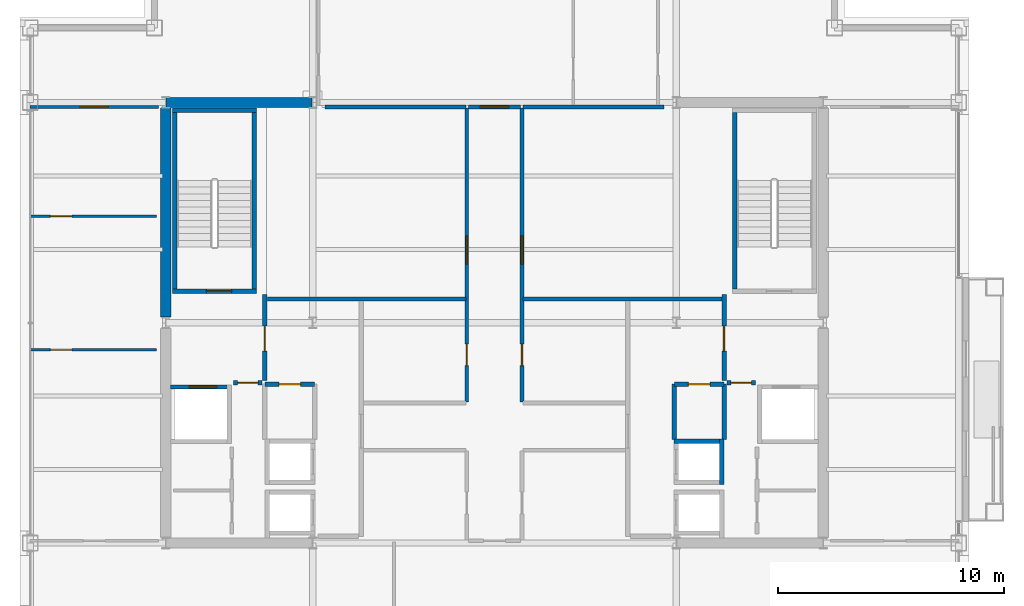
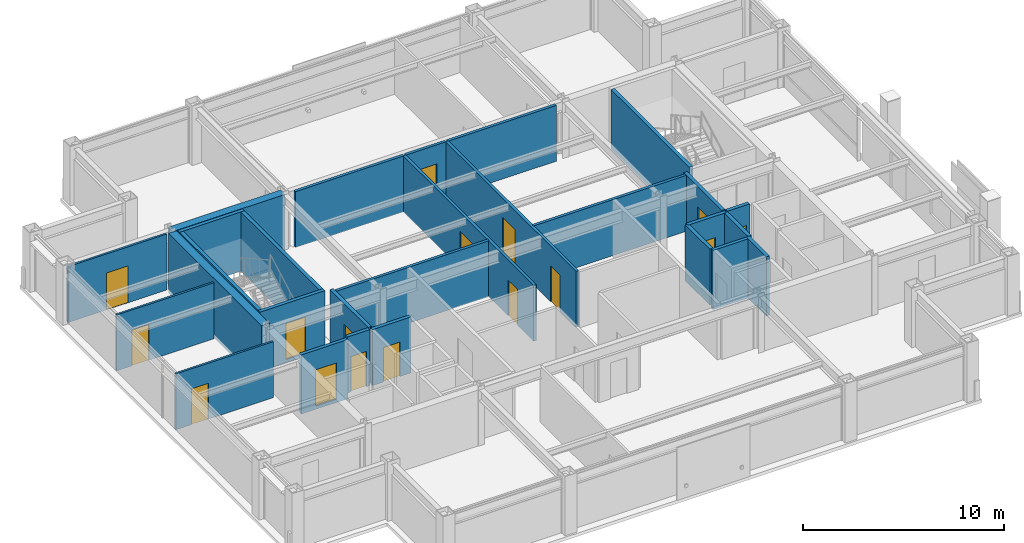
# One storey, part 26 of 30: 28 walls, 16 doors, 16 openings.
"""IFC4 building model written with IfcOpenShell, lengths in metres."""

from ifc_helpers import new_model, si_unit, direction, frame, frame_2d, origin, place, context, subcontext, project, spatial, rectangle, extrude, material, layer, layer_set, type_object, element, fill, save


model = new_model("IFC4")

# Units and contexts
model_context = context("Model", 3, precision=1e-05, world=origin(), true_north=direction((0.0, 1.0)))
body_context = subcontext(model_context, "Body", "Model", "MODEL_VIEW")
ifc_project = project(units=[si_unit("LENGTHUNIT", "METRE"), si_unit("AREAUNIT", "SQUARE_METRE"), si_unit("VOLUMEUNIT", "CUBIC_METRE"), si_unit("PLANEANGLEUNIT", "RADIAN"), si_unit("MASSUNIT", "GRAM", prefix="KILO")], contexts=[model_context])

# Site, building, storey
site_placement = place(None, origin())
site = spatial("IfcSite", under=ifc_project, at=site_placement, CompositionType="ELEMENT")
building_placement = place(site_placement, origin())
building = spatial("IfcBuilding", under=site, at=building_placement, Name="Brelmoor Portico Tower", CompositionType="ELEMENT")
storey_placement = place(building_placement, frame((0.0, 0.0, 187.5)))
storey = spatial("IfcBuildingStorey", under=building, at=storey_placement, Name="L49", CompositionType="ELEMENT", Elevation=187.5)

# Walls
ifc_material_1 = material(Name="Concrete C50", Category="concrete")
ifc_layer_1 = layer(ifc_material_1, 0.449951171875)
ifc_layer_set_1 = layer_set([ifc_layer_1], Name="Concrete C50")
wall_type_1 = type_object("IfcWallType", Name="WL-CORE-450", PredefinedType="SHEAR", material=ifc_layer_set_1)
wall_1_placement = place(storey_placement, frame((-14.530029296875, 9.75, -0.199951171875), z_axis=(0.0, 0.0, 1.0), x_axis=(1.0, 0.0, 0.0)))
element("IfcWall", 1, at=wall_1_placement, inside=storey, type_object=wall_type_1, Name="L49 WC North Shear Wall", PredefinedType="SHEAR", context=body_context, shape_type="SweptSolid", body=[
    extrude(rectangle(XDim=6.4599609375, YDim=0.449951171875, at=frame_2d((3.22998046875, 0.0))), origin(), (0.0, 0.0, 1.0), 3.599853515625),
])
wall_2_placement = place(storey_placement, frame((-14.550048828125, 0.25, -0.199951171875), z_axis=(0.0, 0.0, 1.0), x_axis=(0.0, 1.0, 0.0)))
element("IfcWall", 2, at=wall_2_placement, inside=storey, type_object=wall_type_1, Name="L49 WC Outer North Shear Wall", PredefinedType="SHEAR", context=body_context, shape_type="SweptSolid", body=[
    extrude(rectangle(XDim=9.25, YDim=0.449951171875, at=frame_2d((4.625, 0.0))), origin(), (0.0, 0.0, 1.0), 3.599853515625),
])

# Wall, opening, door
ifc_material_2 = material(Name="Lightweight Gypsum Office Partition", Category="gypsum")
ifc_layer_2 = layer(ifc_material_2, 0.1201171875)
ifc_layer_set_2 = layer_set([ifc_layer_2], Name="Lightweight Gypsum Office Partition")
wall_type_2 = type_object("IfcWallType", Name="WL-PART-120", PredefinedType="PARTITIONING", material=ifc_layer_set_2)
wall_3_placement = place(storey_placement, frame((-20.56005859375, 9.550048828125, 0.0), z_axis=(0.0, 0.0, 1.0), x_axis=(1.0, 0.0, 0.0)))
wall_3 = element("IfcWall", 3, at=wall_3_placement, inside=storey, type_object=wall_type_2, Name="L49 North Wing Suite Wall WL", PredefinedType="PARTITIONING", context=body_context, shape_type="SweptSolid", body=[
    extrude(rectangle(XDim=5.68017578125, YDim=0.1201171875, at=frame_2d((2.840087890625, 0.0))), origin(), (0.0, 0.0, 1.0), 3.39990234375),
])
opening_1_placement = place(wall_3_placement, frame((2.219970703125, 0.0, 0.0)))
opening_1 = element("IfcOpeningElement", 4, at=opening_1_placement, cuts=wall_3, Name="Opening D-SU1", PredefinedType="OPENING", context=body_context, shape_type="SweptSolid", body=[
    extrude(rectangle(XDim=1.239990234375, YDim=2.239990234375, at=frame_2d((0.6201171875, 1.1201171875))), frame((0.0, 0.070068359375, 0.0), z_axis=(0.0, -1.0, 0.0), x_axis=(1.0, 0.0, 0.0)), (0.0, 0.0, 1.0), 0.14013671875),
])
ifc_material_3 = material(Name="Glazed Timber Executive Suite Door", Category="wood")
door_type_1 = type_object("IfcDoorType", Name="DR-SUITE-1200", OperationType="NOTDEFINED", PredefinedType="DOOR", material=ifc_material_3)
door_1_placement = place(opening_1_placement, origin())
door_1 = element("IfcDoor", 5, at=door_1_placement, inside=storey, type_object=door_type_1, Name="D-2086 L49 WL Wing Suite Connecting Door", OperationType="SINGLE_SWING_RIGHT", OverallHeight=2.239990234375, OverallWidth=1.239990234375, PredefinedType="DOOR", context=body_context, shape_type="SweptSolid", body=[
    extrude(rectangle(XDim=1.239990234375, YDim=2.239990234375, at=frame_2d((0.6201171875, 1.1201171875))), frame((0.0, 0.02490234375, 0.0), z_axis=(0.0, -1.0, 0.0), x_axis=(1.0, 0.0, 0.0)), (0.0, 0.0, 1.0), 0.050048828125),
])
fill(opening_1, door_1)

wall_4_placement = place(storey_placement, frame((-20.56005859375, -1.1923828125, 0.0), z_axis=(0.0, 0.0, 1.0), x_axis=(1.0, 0.0, 0.0)))
wall_4 = element("IfcWall", 6, at=wall_4_placement, inside=storey, type_object=wall_type_2, Name="L49 W Wing Partition 1", PredefinedType="PARTITIONING", context=body_context, shape_type="SweptSolid", body=[
    extrude(rectangle(XDim=5.60009765625, YDim=0.1201171875, at=frame_2d((2.800048828125, 0.0))), origin(), (0.0, 0.0, 1.0), 3.39990234375),
])
opening_2_placement = place(wall_4_placement, frame((0.89990234375, 0.0, 0.0)))
opening_2 = element("IfcOpeningElement", 7, at=opening_2_placement, cuts=wall_4, Name="Opening D-IN2", PredefinedType="OPENING", context=body_context, shape_type="SweptSolid", body=[
    extrude(rectangle(XDim=0.9599609375, YDim=2.179931640625, at=frame_2d((0.47998046875, 1.08984375))), frame((0.0, 0.070068359375, 0.0), z_axis=(0.0, -1.0, 0.0), x_axis=(1.0, 0.0, 0.0)), (0.0, 0.0, 1.0), 0.14013671875),
])
ifc_material_4 = material(Name="Lacquered Timber Suite Door", Category="wood")
door_type_2 = type_object("IfcDoorType", Name="DR-INT-950", OperationType="NOTDEFINED", PredefinedType="DOOR", material=ifc_material_4)
door_2_placement = place(opening_2_placement, origin())
door_2 = element("IfcDoor", 8, at=door_2_placement, inside=storey, type_object=door_type_2, Name="D-2094 L49 W Wing Suite Connecting Door 1", OperationType="SINGLE_SWING_RIGHT", OverallHeight=2.179931640625, OverallWidth=0.9599609375, PredefinedType="DOOR", context=body_context, shape_type="SweptSolid", body=[
    extrude(rectangle(XDim=0.9599609375, YDim=2.179931640625, at=frame_2d((0.47998046875, 1.08984375))), frame((0.0, 0.02490234375, 0.0), z_axis=(0.0, -1.0, 0.0), x_axis=(1.0, 0.0, 0.0)), (0.0, 0.0, 1.0), 0.050048828125),
])
fill(opening_2, door_2)

wall_5_placement = place(storey_placement, frame((-20.56005859375, 4.7099609375, 0.0), z_axis=(0.0, 0.0, 1.0), x_axis=(1.0, 0.0, 0.0)))
wall_5 = element("IfcWall", 9, at=wall_5_placement, inside=storey, type_object=wall_type_2, Name="L49 W Wing Partition 2", PredefinedType="PARTITIONING", context=body_context, shape_type="SweptSolid", body=[
    extrude(rectangle(XDim=5.60009765625, YDim=0.1201171875, at=frame_2d((2.800048828125, 0.0))), origin(), (0.0, 0.0, 1.0), 3.39990234375),
])
opening_3_placement = place(wall_5_placement, frame((0.89990234375, 0.0, 0.0)))
opening_3 = element("IfcOpeningElement", 10, at=opening_3_placement, cuts=wall_5, Name="Opening D-IN2", PredefinedType="OPENING", context=body_context, shape_type="SweptSolid", body=[
    extrude(rectangle(XDim=0.9599609375, YDim=2.179931640625, at=frame_2d((0.47998046875, 1.08984375))), frame((0.0, 0.070068359375, 0.0), z_axis=(0.0, -1.0, 0.0), x_axis=(1.0, 0.0, 0.0)), (0.0, 0.0, 1.0), 0.14013671875),
])
door_3_placement = place(opening_3_placement, origin())
door_3 = element("IfcDoor", 11, at=door_3_placement, inside=storey, type_object=door_type_2, Name="D-2095 L49 W Wing Suite Connecting Door 2", OperationType="SINGLE_SWING_LEFT", OverallHeight=2.179931640625, OverallWidth=0.9599609375, PredefinedType="DOOR", context=body_context, shape_type="SweptSolid", body=[
    extrude(rectangle(XDim=0.9599609375, YDim=2.179931640625, at=frame_2d((0.47998046875, 1.08984375))), frame((0.0, 0.02490234375, 0.0), z_axis=(0.0, -1.0, 0.0), x_axis=(1.0, 0.0, 0.0)), (0.0, 0.0, 1.0), 0.050048828125),
])
fill(opening_3, door_3)

# Wall
ifc_material_5 = material(Name="Twin-Frame Acoustic Partition", Category="gypsum")
ifc_layer_3 = layer(ifc_material_5, 0.159912109375)
ifc_layer_set_3 = layer_set([ifc_layer_3], Name="Twin-Frame Acoustic Partition")
wall_type_3 = type_object("IfcWallType", Name="WL-PART-160", PredefinedType="PARTITIONING", material=ifc_layer_set_3)
wall_6_placement = place(storey_placement, frame((-10.050048828125, 1.050048828125, 0.0), z_axis=(0.0, 0.0, 1.0), x_axis=(1.0, 0.0, 0.0)))
element("IfcWall", 12, at=wall_6_placement, inside=storey, type_object=wall_type_3, Name="L49 West Reclaimed Suite South Wall", PredefinedType="PARTITIONING", context=body_context, shape_type="SweptSolid", body=[
    extrude(rectangle(XDim=8.7900390625, YDim=0.159912109375, at=frame_2d((4.39501953125, 0.0))), origin(), (0.0, 0.0, 1.0), 3.39990234375),
])

# Wall, openings, doors
wall_7_placement = place(storey_placement, frame((-1.219970703125, -3.5, 0.0), z_axis=(0.0, 0.0, 1.0), x_axis=(0.0, 1.0, 0.0)))
wall_7 = element("IfcWall", 13, at=wall_7_placement, inside=storey, type_object=wall_type_3, Name="L49 Central Cross West Wall", PredefinedType="PARTITIONING", context=body_context, shape_type="SweptSolid", body=[
    extrude(rectangle(XDim=13.010009765625, YDim=0.159912109375, at=frame_2d((6.5048828125, 0.0))), origin(), (0.0, 0.0, 1.0), 3.39990234375),
])
opening_4_placement = place(wall_7_placement, frame((6.10009765625, 0.0, 0.0)))
opening_4 = element("IfcOpeningElement", 14, at=opening_4_placement, cuts=wall_7, Name="Opening D-SU1", PredefinedType="OPENING", context=body_context, shape_type="SweptSolid", body=[
    extrude(rectangle(XDim=1.239990234375, YDim=2.239990234375, at=frame_2d((0.6201171875, 1.1201171875))), frame((0.0, 0.08984375, 0.0), z_axis=(0.0, -1.0, 0.0), x_axis=(1.0, 0.0, 0.0)), (0.0, 0.0, 1.0), 0.179931640625),
])
opening_5_placement = place(wall_7_placement, frame((1.60009765625, 0.0, 0.0)))
opening_5 = element("IfcOpeningElement", 15, at=opening_5_placement, cuts=wall_7, Name="Opening D-IN2", PredefinedType="OPENING", context=body_context, shape_type="SweptSolid", body=[
    extrude(rectangle(XDim=0.9599609375, YDim=2.179931640625, at=frame_2d((0.47998046875, 1.08984375))), frame((0.0, 0.08984375, 0.0), z_axis=(0.0, -1.0, 0.0), x_axis=(1.0, 0.0, 0.0)), (0.0, 0.0, 1.0), 0.179931640625),
])
door_4_placement = place(opening_5_placement, origin())
door_4 = element("IfcDoor", 16, at=door_4_placement, inside=storey, type_object=door_type_2, Name="D-2067 L49 Staff Pantry Door", OperationType="SINGLE_SWING_LEFT", OverallHeight=2.179931640625, OverallWidth=0.9599609375, PredefinedType="DOOR", context=body_context, shape_type="SweptSolid", body=[
    extrude(rectangle(XDim=0.9599609375, YDim=2.179931640625, at=frame_2d((0.47998046875, 1.08984375))), frame((0.0, 0.02490234375, 0.0), z_axis=(0.0, -1.0, 0.0), x_axis=(1.0, 0.0, 0.0)), (0.0, 0.0, 1.0), 0.050048828125),
])
fill(opening_5, door_4)
door_5_placement = place(opening_4_placement, origin())
door_5 = element("IfcDoor", 17, at=door_5_placement, inside=storey, type_object=door_type_1, Name="D-2068 L49 West Reclaimed Studio Door", OperationType="SINGLE_SWING_RIGHT", OverallHeight=2.239990234375, OverallWidth=1.239990234375, PredefinedType="DOOR", context=body_context, shape_type="SweptSolid", body=[
    extrude(rectangle(XDim=1.239990234375, YDim=2.239990234375, at=frame_2d((0.6201171875, 1.1201171875))), frame((0.0, 0.02490234375, 0.0), z_axis=(0.0, -1.0, 0.0), x_axis=(1.0, 0.0, 0.0)), (0.0, 0.0, 1.0), 0.050048828125),
])
fill(opening_4, door_5)

# Walls
wall_8_placement = place(storey_placement, frame((-7.5, 9.550048828125, 0.0), z_axis=(0.0, 0.0, 1.0), x_axis=(1.0, 0.0, 0.0)))
element("IfcWall", 18, at=wall_8_placement, inside=storey, type_object=wall_type_3, Name="L49 West Reclaimed Suite North Wall", PredefinedType="PARTITIONING", context=body_context, shape_type="SweptSolid", body=[
    extrude(rectangle(XDim=6.239990234375, YDim=0.159912109375, at=frame_2d((3.1201171875, 0.0))), origin(), (0.0, 0.0, 1.0), 3.39990234375),
])
wall_9_placement = place(storey_placement, frame((1.260009765625, 1.050048828125, 0.0), z_axis=(0.0, 0.0, 1.0), x_axis=(1.0, 0.0, 0.0)))
element("IfcWall", 19, at=wall_9_placement, inside=storey, type_object=wall_type_3, Name="L49 East Suite South Wall", PredefinedType="PARTITIONING", context=body_context, shape_type="SweptSolid", body=[
    extrude(rectangle(XDim=8.800048828125, YDim=0.159912109375, at=frame_2d((4.39990234375, 0.0))), origin(), (0.0, 0.0, 1.0), 3.39990234375),
])

# Wall, openings, doors
wall_10_placement = place(storey_placement, frame((1.219970703125, -3.5, 0.0), z_axis=(0.0, 0.0, 1.0), x_axis=(0.0, 1.0, 0.0)))
wall_10 = element("IfcWall", 20, at=wall_10_placement, inside=storey, type_object=wall_type_3, Name="L49 Central Cross East Wall", PredefinedType="PARTITIONING", context=body_context, shape_type="SweptSolid", body=[
    extrude(rectangle(XDim=13.010009765625, YDim=0.159912109375, at=frame_2d((6.5048828125, 0.0))), origin(), (0.0, 0.0, 1.0), 3.39990234375),
])
opening_6_placement = place(wall_10_placement, frame((6.10009765625, 0.0, 0.0)))
opening_6 = element("IfcOpeningElement", 21, at=opening_6_placement, cuts=wall_10, Name="Opening D-SU1", PredefinedType="OPENING", context=body_context, shape_type="SweptSolid", body=[
    extrude(rectangle(XDim=1.239990234375, YDim=2.239990234375, at=frame_2d((0.6201171875, 1.1201171875))), frame((0.0, 0.08984375, 0.0), z_axis=(0.0, -1.0, 0.0), x_axis=(1.0, 0.0, 0.0)), (0.0, 0.0, 1.0), 0.179931640625),
])
opening_7_placement = place(wall_10_placement, frame((1.60009765625, 0.0, 0.0)))
opening_7 = element("IfcOpeningElement", 22, at=opening_7_placement, cuts=wall_10, Name="Opening D-IN2", PredefinedType="OPENING", context=body_context, shape_type="SweptSolid", body=[
    extrude(rectangle(XDim=0.9599609375, YDim=2.179931640625, at=frame_2d((0.47998046875, 1.08984375))), frame((0.0, 0.08984375, 0.0), z_axis=(0.0, -1.0, 0.0), x_axis=(1.0, 0.0, 0.0)), (0.0, 0.0, 1.0), 0.179931640625),
])
door_6_placement = place(opening_7_placement, origin())
door_6 = element("IfcDoor", 23, at=door_6_placement, inside=storey, type_object=door_type_2, Name="D-2063 L49 Client Project Office Door", OperationType="SINGLE_SWING_LEFT", OverallHeight=2.179931640625, OverallWidth=0.9599609375, PredefinedType="DOOR", context=body_context, shape_type="SweptSolid", body=[
    extrude(rectangle(XDim=0.9599609375, YDim=2.179931640625, at=frame_2d((0.47998046875, 1.08984375))), frame((0.0, 0.02490234375, 0.0), z_axis=(0.0, -1.0, 0.0), x_axis=(1.0, 0.0, 0.0)), (0.0, 0.0, 1.0), 0.050048828125),
])
fill(opening_7, door_6)
door_7_placement = place(opening_6_placement, origin())
door_7 = element("IfcDoor", 24, at=door_7_placement, inside=storey, type_object=door_type_1, Name="D-2064 L49 East Reclaimed Studio Door", OperationType="SINGLE_SWING_RIGHT", OverallHeight=2.239990234375, OverallWidth=1.239990234375, PredefinedType="DOOR", context=body_context, shape_type="SweptSolid", body=[
    extrude(rectangle(XDim=1.239990234375, YDim=2.239990234375, at=frame_2d((0.6201171875, 1.1201171875))), frame((0.0, 0.02490234375, 0.0), z_axis=(0.0, -1.0, 0.0), x_axis=(1.0, 0.0, 0.0)), (0.0, 0.0, 1.0), 0.050048828125),
])
fill(opening_6, door_7)

# Wall
wall_11_placement = place(storey_placement, frame((1.260009765625, 9.550048828125, 0.0), z_axis=(0.0, 0.0, 1.0), x_axis=(1.0, 0.0, 0.0)))
element("IfcWall", 25, at=wall_11_placement, inside=storey, type_object=wall_type_3, Name="L49 East Suite North Wall", PredefinedType="PARTITIONING", context=body_context, shape_type="SweptSolid", body=[
    extrude(rectangle(XDim=6.239990234375, YDim=0.159912109375, at=frame_2d((3.1201171875, 0.0))), origin(), (0.0, 0.0, 1.0), 3.39990234375),
])

# Wall, opening, door
wall_12_placement = place(storey_placement, frame((-1.14990234375, 9.550048828125, 0.0), z_axis=(0.0, 0.0, 1.0), x_axis=(1.0, 0.0, 0.0)))
wall_12 = element("IfcWall", 26, at=wall_12_placement, inside=storey, type_object=wall_type_3, Name="L49 North Corridor Partition", PredefinedType="PARTITIONING", context=body_context, shape_type="SweptSolid", body=[
    extrude(rectangle(XDim=2.2998046875, YDim=0.159912109375, at=frame_2d((1.14990234375, 0.0))), origin(), (0.0, 0.0, 1.0), 3.39990234375),
])
opening_8_placement = place(wall_12_placement, frame((0.530029296875, 0.0, 0.0)))
opening_8 = element("IfcOpeningElement", 27, at=opening_8_placement, cuts=wall_12, Name="Opening D-SU1", PredefinedType="OPENING", context=body_context, shape_type="SweptSolid", body=[
    extrude(rectangle(XDim=1.239990234375, YDim=2.239990234375, at=frame_2d((0.6201171875, 1.1201171875))), frame((0.0, 0.08984375, 0.0), z_axis=(0.0, -1.0, 0.0), x_axis=(1.0, 0.0, 0.0)), (0.0, 0.0, 1.0), 0.179931640625),
])
door_8_placement = place(opening_8_placement, origin())
door_8 = element("IfcDoor", 28, at=door_8_placement, inside=storey, type_object=door_type_1, Name="D-2081 L49 North Technical Archive Store 2 Door", OperationType="SINGLE_SWING_LEFT", OverallHeight=2.239990234375, OverallWidth=1.239990234375, PredefinedType="DOOR", context=body_context, shape_type="SweptSolid", body=[
    extrude(rectangle(XDim=1.239990234375, YDim=2.239990234375, at=frame_2d((0.6201171875, 1.1201171875))), frame((0.0, 0.02490234375, 0.0), z_axis=(0.0, -1.0, 0.0), x_axis=(1.0, 0.0, 0.0)), (0.0, 0.0, 1.0), 0.050048828125),
])
fill(opening_8, door_8)

ifc_material_6 = material(Name="Double-Stud Gypsum Fire Partition", Category="gypsum")
ifc_layer_4 = layer(ifc_material_6, 0.199951171875)
ifc_layer_set_4 = layer_set([ifc_layer_4], Name="Double-Stud Gypsum Fire Partition")
wall_type_4 = type_object("IfcWallType", Name="WL-PART-200", PredefinedType="PARTITIONING", material=ifc_layer_set_4)
wall_13_placement = place(storey_placement, frame((-10.159912109375, -2.550048828125, 0.0), z_axis=(0.0, 0.0, 1.0), x_axis=(0.0, 1.0, 0.0)))
wall_13 = element("IfcWall", 29, at=wall_13_placement, inside=storey, type_object=wall_type_4, Name="L49 W Firefighting Lobby Wall", PredefinedType="PARTITIONING", context=body_context, shape_type="SweptSolid", body=[
    extrude(rectangle(XDim=3.800048828125, YDim=0.199951171875, at=frame_2d((1.89990234375, 0.0))), origin(), (0.0, 0.0, 1.0), 3.39990234375),
])
opening_9_placement = place(wall_13_placement, frame((1.300048828125, 0.0, 0.0)))
opening_9 = element("IfcOpeningElement", 30, at=opening_9_placement, cuts=wall_13, Name="Opening D-FR1", PredefinedType="OPENING", context=body_context, shape_type="SweptSolid", body=[
    extrude(rectangle(XDim=1.10009765625, YDim=2.14990234375, at=frame_2d((0.550048828125, 1.074951171875))), frame((0.0, 0.10986328125, 0.0), z_axis=(0.0, -1.0, 0.0), x_axis=(1.0, 0.0, 0.0)), (0.0, 0.0, 1.0), 0.219970703125),
])
ifc_material_7 = material(Name="Painted Galvanised Steel Fire Door", Category="steel")
door_type_3 = type_object("IfcDoorType", Name="DR-FIRE-1100", OperationType="NOTDEFINED", PredefinedType="DOOR", material=ifc_material_7)
door_9_placement = place(opening_9_placement, origin())
door_9 = element("IfcDoor", 31, at=door_9_placement, inside=storey, type_object=door_type_3, Name="D-2078 L49 W Firefighting Lobby Door", OperationType="SINGLE_SWING_RIGHT", OverallHeight=2.14990234375, OverallWidth=1.10009765625, PredefinedType="DOOR", context=body_context, shape_type="SweptSolid", body=[
    extrude(rectangle(XDim=1.10009765625, YDim=2.14990234375, at=frame_2d((0.550048828125, 1.074951171875))), frame((0.0, 0.02490234375, 0.0), z_axis=(0.0, -1.0, 0.0), x_axis=(1.0, 0.0, 0.0)), (0.0, 0.0, 1.0), 0.050048828125),
])
fill(opening_9, door_9)

wall_14_placement = place(storey_placement, frame((-10.280029296875, -2.64990234375, 0.0), z_axis=(0.0, 0.0, 1.0), x_axis=(-1.0, 0.0, 0.0)))
wall_14 = element("IfcWall", 32, at=wall_14_placement, inside=storey, type_object=wall_type_4, Name="L49 W Firefighting Lobby South Wall", PredefinedType="PARTITIONING", context=body_context, shape_type="SweptSolid", body=[
    extrude(rectangle(XDim=1.27001953125, YDim=0.199951171875, at=frame_2d((0.635009765625, 0.0))), origin(), (0.0, 0.0, 1.0), 3.39990234375),
])
opening_10_placement = place(wall_14_placement, frame((0.18505859375, 0.0, 0.0)))
opening_10 = element("IfcOpeningElement", 33, at=opening_10_placement, cuts=wall_14, Name="Opening D-IN1", PredefinedType="OPENING", context=body_context, shape_type="SweptSolid", body=[
    extrude(rectangle(XDim=0.89990234375, YDim=2.14990234375, at=frame_2d((0.449951171875, 1.074951171875))), frame((0.0, 0.10986328125, 0.0), z_axis=(0.0, -1.0, 0.0), x_axis=(1.0, 0.0, 0.0)), (0.0, 0.0, 1.0), 0.219970703125),
])
door_type_4 = type_object("IfcDoorType", Name="DR-INT-900", OperationType="NOTDEFINED", PredefinedType="DOOR", material=ifc_material_4)
door_10_placement = place(opening_10_placement, origin())
door_10 = element("IfcDoor", 34, at=door_10_placement, inside=storey, type_object=door_type_4, Name="D-2072 L49 W Core Service Vestibule Door", OperationType="SINGLE_SWING_LEFT", OverallHeight=2.14990234375, OverallWidth=0.89990234375, PredefinedType="DOOR", context=body_context, shape_type="SweptSolid", body=[
    extrude(rectangle(XDim=0.89990234375, YDim=2.14990234375, at=frame_2d((0.449951171875, 1.074951171875))), frame((0.0, 0.02490234375, 0.0), z_axis=(0.0, -1.0, 0.0), x_axis=(1.0, 0.0, 0.0)), (0.0, 0.0, 1.0), 0.050048828125),
])
fill(opening_10, door_10)

wall_15_placement = place(storey_placement, frame((-7.9599609375, -2.719970703125, 0.0), z_axis=(0.0, 0.0, 1.0), x_axis=(-1.0, 0.0, 0.0)))
wall_15 = element("IfcWall", 35, at=wall_15_placement, inside=storey, type_object=wall_type_4, Name="L49 W Electrical Switchgear Closet Wall", PredefinedType="PARTITIONING", context=body_context, shape_type="SweptSolid", body=[
    extrude(rectangle(XDim=2.199951171875, YDim=0.199951171875, at=frame_2d((1.10009765625, 0.0))), origin(), (0.0, 0.0, 1.0), 3.39990234375),
])
opening_11_placement = place(wall_15_placement, frame((0.6201171875, 0.0, 0.0)))
opening_11 = element("IfcOpeningElement", 36, at=opening_11_placement, cuts=wall_15, Name="Opening D-FR4", PredefinedType="OPENING", context=body_context, shape_type="SweptSolid", body=[
    extrude(rectangle(XDim=0.949951171875, YDim=2.10009765625, at=frame_2d((0.47509765625, 1.050048828125))), frame((0.0, 0.10986328125, 0.0), z_axis=(0.0, -1.0, 0.0), x_axis=(1.0, 0.0, 0.0)), (0.0, 0.0, 1.0), 0.219970703125),
])
ifc_material_8 = material(Name="Painted Galvanised Steel Riser Door", Category="steel")
door_type_5 = type_object("IfcDoorType", Name="DR-FIRE-950", OperationType="NOTDEFINED", PredefinedType="DOOR", material=ifc_material_8)
door_11_placement = place(opening_11_placement, origin())
door_11 = element("IfcDoor", 37, at=door_11_placement, inside=storey, type_object=door_type_5, Name="D-2076 L49 W Electrical Switchgear Closet Door", OperationType="SINGLE_SWING_RIGHT", OverallHeight=2.10009765625, OverallWidth=0.949951171875, PredefinedType="DOOR", context=body_context, shape_type="SweptSolid", body=[
    extrude(rectangle(XDim=0.949951171875, YDim=2.10009765625, at=frame_2d((0.47509765625, 1.050048828125))), frame((0.0, 0.02490234375, 0.0), z_axis=(0.0, -1.0, 0.0), x_axis=(1.0, 0.0, 0.0)), (0.0, 0.0, 1.0), 0.050048828125),
])
fill(opening_11, door_11)

wall_16_placement = place(storey_placement, frame((10.159912109375, -2.550048828125, 0.0), z_axis=(0.0, 0.0, 1.0), x_axis=(0.0, 1.0, 0.0)))
wall_16 = element("IfcWall", 38, at=wall_16_placement, inside=storey, type_object=wall_type_4, Name="L49 E Firefighting Lobby Wall", PredefinedType="PARTITIONING", context=body_context, shape_type="SweptSolid", body=[
    extrude(rectangle(XDim=3.800048828125, YDim=0.199951171875, at=frame_2d((1.89990234375, 0.0))), origin(), (0.0, 0.0, 1.0), 3.39990234375),
])
opening_12_placement = place(wall_16_placement, frame((1.300048828125, 0.0, 0.0)))
opening_12 = element("IfcOpeningElement", 39, at=opening_12_placement, cuts=wall_16, Name="Opening D-FR1", PredefinedType="OPENING", context=body_context, shape_type="SweptSolid", body=[
    extrude(rectangle(XDim=1.10009765625, YDim=2.14990234375, at=frame_2d((0.550048828125, 1.074951171875))), frame((0.0, 0.10986328125, 0.0), z_axis=(0.0, -1.0, 0.0), x_axis=(1.0, 0.0, 0.0)), (0.0, 0.0, 1.0), 0.219970703125),
])
door_12_placement = place(opening_12_placement, origin())
door_12 = element("IfcDoor", 40, at=door_12_placement, inside=storey, type_object=door_type_3, Name="D-2077 L49 E Firefighting Lobby Door", OperationType="SINGLE_SWING_LEFT", OverallHeight=2.14990234375, OverallWidth=1.10009765625, PredefinedType="DOOR", context=body_context, shape_type="SweptSolid", body=[
    extrude(rectangle(XDim=1.10009765625, YDim=2.14990234375, at=frame_2d((0.550048828125, 1.074951171875))), frame((0.0, 0.02490234375, 0.0), z_axis=(0.0, -1.0, 0.0), x_axis=(1.0, 0.0, 0.0)), (0.0, 0.0, 1.0), 0.050048828125),
])
fill(opening_12, door_12)

wall_17_placement = place(storey_placement, frame((10.280029296875, -2.64990234375, 0.0), z_axis=(0.0, 0.0, 1.0), x_axis=(1.0, 0.0, 0.0)))
wall_17 = element("IfcWall", 41, at=wall_17_placement, inside=storey, type_object=wall_type_4, Name="L49 E Firefighting Lobby South Wall", PredefinedType="PARTITIONING", context=body_context, shape_type="SweptSolid", body=[
    extrude(rectangle(XDim=1.27001953125, YDim=0.199951171875, at=frame_2d((0.635009765625, 0.0))), origin(), (0.0, 0.0, 1.0), 3.39990234375),
])
opening_13_placement = place(wall_17_placement, frame((0.18505859375, 0.0, 0.0)))
opening_13 = element("IfcOpeningElement", 42, at=opening_13_placement, cuts=wall_17, Name="Opening D-IN1", PredefinedType="OPENING", context=body_context, shape_type="SweptSolid", body=[
    extrude(rectangle(XDim=0.89990234375, YDim=2.14990234375, at=frame_2d((0.449951171875, 1.074951171875))), frame((0.0, 0.10986328125, 0.0), z_axis=(0.0, -1.0, 0.0), x_axis=(1.0, 0.0, 0.0)), (0.0, 0.0, 1.0), 0.219970703125),
])
door_13_placement = place(opening_13_placement, origin())
door_13 = element("IfcDoor", 43, at=door_13_placement, inside=storey, type_object=door_type_4, Name="D-2071 L49 E Core Service Vestibule Door", OperationType="SINGLE_SWING_RIGHT", OverallHeight=2.14990234375, OverallWidth=0.89990234375, PredefinedType="DOOR", context=body_context, shape_type="SweptSolid", body=[
    extrude(rectangle(XDim=0.89990234375, YDim=2.14990234375, at=frame_2d((0.449951171875, 1.074951171875))), frame((0.0, 0.02490234375, 0.0), z_axis=(0.0, -1.0, 0.0), x_axis=(1.0, 0.0, 0.0)), (0.0, 0.0, 1.0), 0.050048828125),
])
fill(opening_13, door_13)

wall_18_placement = place(storey_placement, frame((7.9599609375, -2.719970703125, 0.0), z_axis=(0.0, 0.0, 1.0), x_axis=(1.0, 0.0, 0.0)))
wall_18 = element("IfcWall", 44, at=wall_18_placement, inside=storey, type_object=wall_type_4, Name="L49 E Electrical Switchgear Closet Wall", PredefinedType="PARTITIONING", context=body_context, shape_type="SweptSolid", body=[
    extrude(rectangle(XDim=2.199951171875, YDim=0.199951171875, at=frame_2d((1.10009765625, 0.0))), origin(), (0.0, 0.0, 1.0), 3.39990234375),
])
opening_14_placement = place(wall_18_placement, frame((0.6201171875, 0.0, 0.0)))
opening_14 = element("IfcOpeningElement", 45, at=opening_14_placement, cuts=wall_18, Name="Opening D-FR4", PredefinedType="OPENING", context=body_context, shape_type="SweptSolid", body=[
    extrude(rectangle(XDim=0.949951171875, YDim=2.10009765625, at=frame_2d((0.47509765625, 1.050048828125))), frame((0.0, 0.10986328125, 0.0), z_axis=(0.0, -1.0, 0.0), x_axis=(1.0, 0.0, 0.0)), (0.0, 0.0, 1.0), 0.219970703125),
])
door_14_placement = place(opening_14_placement, origin())
door_14 = element("IfcDoor", 46, at=door_14_placement, inside=storey, type_object=door_type_5, Name="D-2075 L49 E Electrical Switchgear Closet Door", OperationType="SINGLE_SWING_LEFT", OverallHeight=2.10009765625, OverallWidth=0.949951171875, PredefinedType="DOOR", context=body_context, shape_type="SweptSolid", body=[
    extrude(rectangle(XDim=0.949951171875, YDim=2.10009765625, at=frame_2d((0.47509765625, 1.050048828125))), frame((0.0, 0.02490234375, 0.0), z_axis=(0.0, -1.0, 0.0), x_axis=(1.0, 0.0, 0.0)), (0.0, 0.0, 1.0), 0.050048828125),
])
fill(opening_14, door_14)

# Walls
for number, where, z_axis, x_axis, name in (
    (47, (7.9599609375, -5.159912109375, 0.0), (0.0, 0.0, 1.0), (0.0, 1.0, 0.0), "L49 E Electrical Switchgear Closet Inner Wall"),
    (48, (10.159912109375, -5.159912109375, 0.0), (0.0, 0.0, 1.0), (0.0, 1.0, 0.0), "L49 E Electrical Switchgear Closet Outer Wall"),
):
    element("IfcWall", number, at=place(storey_placement, frame(where, z_axis=z_axis, x_axis=x_axis)), inside=storey, type_object=wall_type_4, Name=name, PredefinedType="PARTITIONING", context=body_context, shape_type="SweptSolid", body=[
        extrude(rectangle(XDim=2.43994140625, YDim=0.199951171875, at=frame_2d((1.219970703125, 0.0))), origin(), (0.0, 0.0, 1.0), 3.39990234375),
    ])
ifc_material_9 = material(Name="Precast Concrete C40", Category="concrete")
ifc_layer_5 = layer(ifc_material_9, 0.18994140625)
ifc_layer_set_5 = layer_set([ifc_layer_5], Name="Precast Concrete C40")
wall_type_5 = type_object("IfcWallType", Name="WL-SHAFT-180", PredefinedType="SOLIDWALL", material=ifc_layer_set_5)
wall_19_placement = place(storey_placement, frame((10.054931640625, -7.14990234375, -0.199951171875), z_axis=(0.0, 0.0, 1.0), x_axis=(0.0, 1.0, 0.0)))
element("IfcWall", 49, at=wall_19_placement, inside=storey, type_object=wall_type_5, Name="L49 Lift PH4 Hoistway Back Wall", PredefinedType="SOLIDWALL", context=body_context, shape_type="SweptSolid", body=[
    extrude(rectangle(XDim=2.0, YDim=0.18994140625, at=frame_2d((1.0, 0.0))), origin(), (0.0, 0.0, 1.0), 3.599853515625),
])
wall_20_placement = place(storey_placement, frame((7.949951171875, -5.2451171875, -0.199951171875), z_axis=(0.0, 0.0, 1.0), x_axis=(1.0, 0.0, 0.0)))
element("IfcWall", 50, at=wall_20_placement, inside=storey, type_object=wall_type_5, Name="L49 Lift PH4 Hoistway North Wall", PredefinedType="SOLIDWALL", context=body_context, shape_type="SweptSolid", body=[
    extrude(rectangle(XDim=2.199951171875, YDim=0.18994140625, at=frame_2d((1.10009765625, 0.0))), origin(), (0.0, 0.0, 1.0), 3.599853515625),
])

# Wall, opening, door
wall_21_placement = place(storey_placement, frame((-14.330078125, -2.844970703125, -0.199951171875), z_axis=(0.0, 0.0, 1.0), x_axis=(1.0, 0.0, 0.0)))
wall_21 = element("IfcWall", 51, at=wall_21_placement, inside=storey, type_object=wall_type_5, Name="L49 Lift FF1 Hoistway Front Wall", PredefinedType="SOLIDWALL", context=body_context, shape_type="SweptSolid", body=[
    extrude(rectangle(XDim=2.68017578125, YDim=0.18994140625, at=frame_2d((1.340087890625, 0.0))), origin(), (0.0, 0.0, 1.0), 3.599853515625),
])
opening_15_placement = place(wall_21_placement, frame((0.830078125, 0.0, 0.199951171875)))
opening_15 = element("IfcOpeningElement", 52, at=opening_15_placement, cuts=wall_21, Name="Opening LD-02", PredefinedType="OPENING", context=body_context, shape_type="SweptSolid", body=[
    extrude(rectangle(XDim=1.199951171875, YDim=2.199951171875, at=frame_2d((0.60009765625, 1.10009765625))), frame((0.0, 0.10498046875, 0.0), z_axis=(0.0, -1.0, 0.0), x_axis=(1.0, 0.0, 0.0)), (0.0, 0.0, 1.0), 0.2099609375),
])
ifc_material_10 = material(Name="Brushed Stainless Steel Firefighting Lift Door", Category="steel")
door_type_6 = type_object("IfcDoorType", Name="DR-LIFT-1200", OperationType="NOTDEFINED", PredefinedType="DOOR", material=ifc_material_10)
door_15_placement = place(opening_15_placement, origin())
door_15 = element("IfcDoor", 53, at=door_15_placement, inside=storey, type_object=door_type_6, Name="D-2096 L49 Lift FF1 Sliding Landing Door", OperationType="SLIDING_TO_LEFT", OverallHeight=2.199951171875, OverallWidth=1.199951171875, PredefinedType="DOOR", context=body_context, shape_type="SweptSolid", body=[
    extrude(rectangle(XDim=1.199951171875, YDim=2.199951171875, at=frame_2d((0.60009765625, 1.10009765625))), frame((0.0, 0.02490234375, 0.0), z_axis=(0.0, -1.0, 0.0), x_axis=(1.0, 0.0, 0.0)), (0.0, 0.0, 1.0), 0.050048828125),
])
fill(opening_15, door_15)

# Wall
ifc_material_11 = material(Name="Concrete C40", Category="concrete")
ifc_layer_6 = layer(ifc_material_11, 0.199951171875)
ifc_layer_set_6 = layer_set([ifc_layer_6], Name="Concrete C40")
wall_type_6 = type_object("IfcWallType", Name="WL-SHAFT-RC200", PredefinedType="SOLIDWALL", material=ifc_layer_set_6)
wall_22_placement = place(storey_placement, frame((-14.14990234375, 1.5, -0.199951171875), z_axis=(0.0, 0.0, 1.0), x_axis=(0.0, 1.0, 0.0)))
element("IfcWall", 54, at=wall_22_placement, inside=storey, type_object=wall_type_6, Name="L49 ST-W Structural Stair Wall Outer", PredefinedType="SOLIDWALL", context=body_context, shape_type="SweptSolid", body=[
    extrude(rectangle(XDim=7.800048828125, YDim=0.199951171875, at=frame_2d((3.89990234375, 0.0))), origin(), (0.0, 0.0, 1.0), 3.599853515625),
])

# Wall, opening, door
wall_23_placement = place(storey_placement, frame((-14.25, 1.39990234375, -0.199951171875), z_axis=(0.0, 0.0, 1.0), x_axis=(1.0, 0.0, 0.0)))
wall_23 = element("IfcWall", 55, at=wall_23_placement, inside=storey, type_object=wall_type_6, Name="L49 ST-W Structural Stair Wall S", PredefinedType="SOLIDWALL", context=body_context, shape_type="SweptSolid", body=[
    extrude(rectangle(XDim=3.719970703125, YDim=0.199951171875, at=frame_2d((1.85986328125, 0.0))), origin(), (0.0, 0.0, 1.0), 3.599853515625),
])
opening_16_placement = place(wall_23_placement, frame((1.5, 0.0, 0.199951171875)))
opening_16 = element("IfcOpeningElement", 56, at=opening_16_placement, cuts=wall_23, Name="Opening D-ST1", PredefinedType="OPENING", context=body_context, shape_type="SweptSolid", body=[
    extrude(rectangle(XDim=1.1201171875, YDim=2.179931640625, at=frame_2d((0.56005859375, 1.08984375))), frame((0.0, 0.10986328125, 0.0), z_axis=(0.0, -1.0, 0.0), x_axis=(1.0, 0.0, 0.0)), (0.0, 0.0, 1.0), 0.219970703125),
])
door_type_7 = type_object("IfcDoorType", Name="DR-STAIR-1100", OperationType="NOTDEFINED", PredefinedType="DOOR", material=ifc_material_7)
door_16_placement = place(opening_16_placement, origin())
door_16 = element("IfcDoor", 57, at=door_16_placement, inside=storey, type_object=door_type_7, Name="D-2090 L49 ST-W Protected Exit Stair Door", OperationType="SINGLE_SWING_LEFT", OverallHeight=2.179931640625, OverallWidth=1.1201171875, PredefinedType="DOOR", context=body_context, shape_type="SweptSolid", body=[
    extrude(rectangle(XDim=1.1201171875, YDim=2.179931640625, at=frame_2d((0.56005859375, 1.08984375))), frame((0.0, 0.02490234375, 0.0), z_axis=(0.0, -1.0, 0.0), x_axis=(1.0, 0.0, 0.0)), (0.0, 0.0, 1.0), 0.050048828125),
])
fill(opening_16, door_16)

# Walls
wall_24_placement = place(storey_placement, frame((-14.25, 9.39990234375, -0.199951171875), z_axis=(0.0, 0.0, 1.0), x_axis=(1.0, 0.0, 0.0)))
element("IfcWall", 58, at=wall_24_placement, inside=storey, type_object=wall_type_6, Name="L49 ST-W Structural Stair Wall N", PredefinedType="SOLIDWALL", context=body_context, shape_type="SweptSolid", body=[
    extrude(rectangle(XDim=3.719970703125, YDim=0.199951171875, at=frame_2d((1.85986328125, 0.0))), origin(), (0.0, 0.0, 1.0), 3.599853515625),
])
for number, where, z_axis, x_axis, name in (
    (59, (-10.6298828125, 1.5, -0.199951171875), (0.0, 0.0, 1.0), (0.0, 1.0, 0.0), "L49 ST-W Structural Stair Wall Inner"),
    (60, (10.6298828125, 1.5, -0.199951171875), (0.0, 0.0, 1.0), (0.0, 1.0, 0.0), "L49 ST-E Structural Stair Wall Inner"),
):
    element("IfcWall", number, at=place(storey_placement, frame(where, z_axis=z_axis, x_axis=x_axis)), inside=storey, type_object=wall_type_6, Name=name, PredefinedType="SOLIDWALL", context=body_context, shape_type="SweptSolid", body=[
        extrude(rectangle(XDim=7.800048828125, YDim=0.199951171875, at=frame_2d((3.89990234375, 0.0))), origin(), (0.0, 0.0, 1.0), 3.599853515625),
    ])

save(model, "model.ifc")
